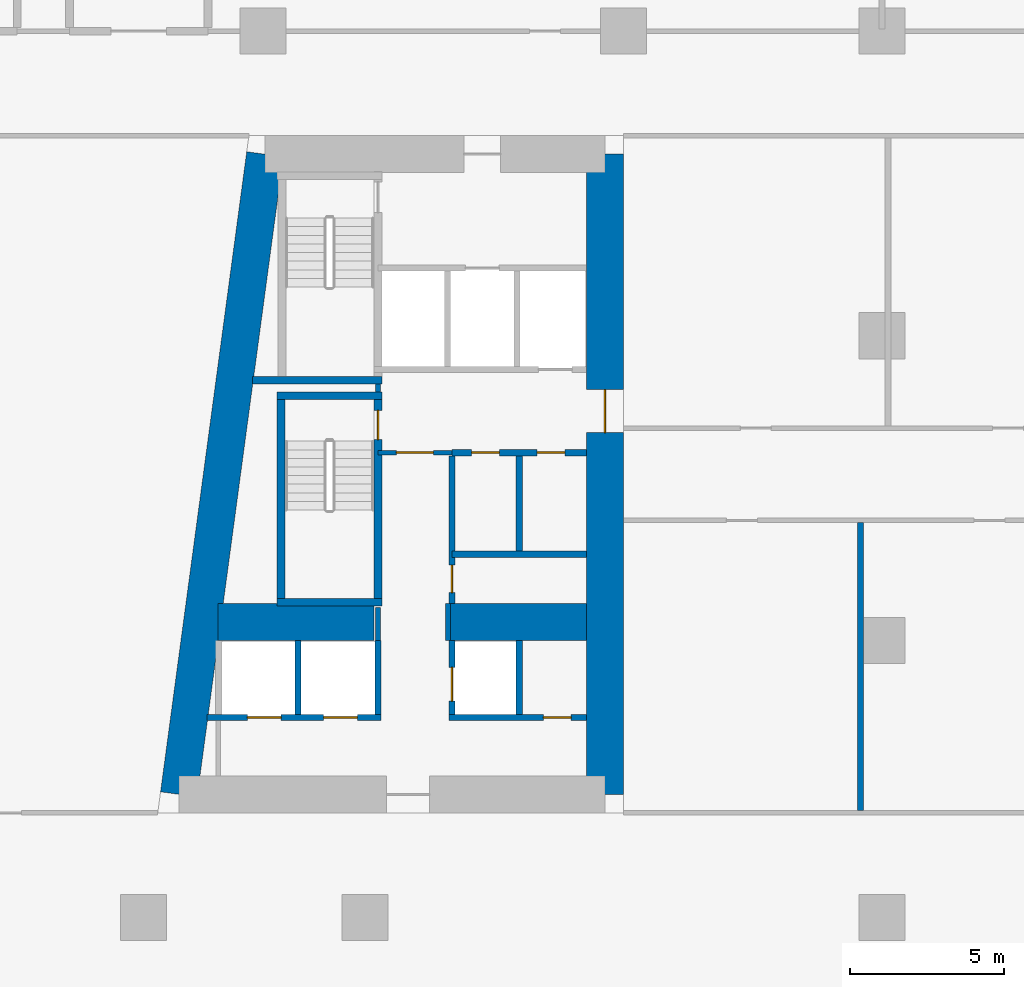
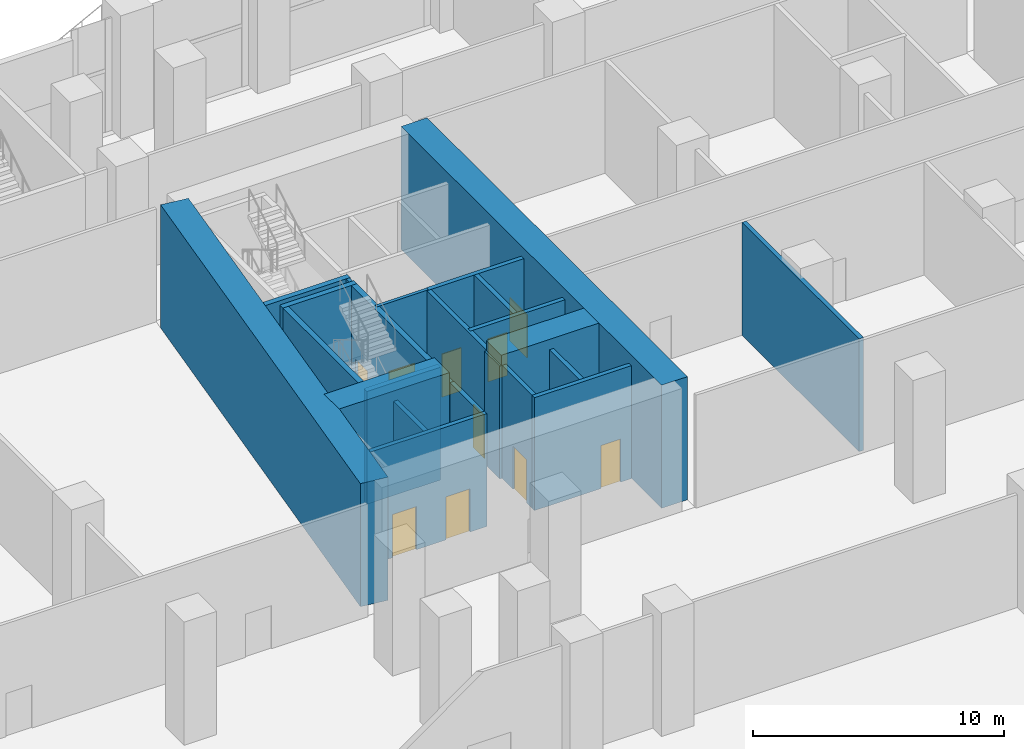
# One storey, part 21 of 47: 24 walls, 10 doors, 10 openings.
"""IFC4 building model written with IfcOpenShell, lengths in metres."""

from ifc_helpers import new_model, si_unit, direction, frame, frame_2d, origin, place, context, subcontext, project, spatial, rectangle, extrude, material, layer, layer_set, type_object, element, fill, save


model = new_model("IFC4")

# Units and contexts
model_context = context("Model", 3, precision=1e-05, world=origin(), true_north=direction((0.0, 1.0)))
body_context = subcontext(model_context, "Body", "Model", "MODEL_VIEW")
ifc_project = project(units=[si_unit("LENGTHUNIT", "METRE"), si_unit("AREAUNIT", "SQUARE_METRE"), si_unit("VOLUMEUNIT", "CUBIC_METRE"), si_unit("PLANEANGLEUNIT", "RADIAN"), si_unit("MASSUNIT", "GRAM", prefix="KILO")], contexts=[model_context])

# Site, building, storey
site_placement = place(None, origin())
site = spatial("IfcSite", under=ifc_project, at=site_placement, CompositionType="ELEMENT")
building_placement = place(site_placement, origin())
building = spatial("IfcBuilding", under=site, at=building_placement, Name="Candeia Pilgrim Tower and Theatre", CompositionType="ELEMENT")
storey_placement = place(building_placement, frame((0.0, 0.0, 23.0)))
storey = spatial("IfcBuildingStorey", under=building, at=storey_placement, Name="L03", CompositionType="ELEMENT", Elevation=23.0)

# Wall, opening, door
ifc_material_1 = material(Name="Concrete C80/95", Category="concrete")
ifc_layer_1 = layer(ifc_material_1, 1.199951171875)
ifc_layer_set_1 = layer_set([ifc_layer_1], Name="Core wall 1200 C80/95")
wall_type_1 = type_object("IfcWallType", Name="Core wall 1200 C80/95", PredefinedType="SHEAR", material=ifc_layer_set_1)
wall_1_placement = place(storey_placement, frame((100.199951171875, 131.800048828125, 0.0), z_axis=(0.0, 0.0, 1.0), x_axis=(0.0, -1.0, 0.0)))
wall_1 = element("IfcWall", 1, at=wall_1_placement, inside=storey, type_object=wall_type_1, Name="Core wall W2", PredefinedType="SHEAR", context=body_context, shape_type="SweptSolid", body=[
    extrude(rectangle(XDim=20.800048828125, YDim=1.199951171875, at=frame_2d((10.39990234375, 0.0))), origin(), (0.0, 0.0, 1.0), 6.0),
])
opening_1_placement = place(wall_1_placement, frame((7.64990234375, 0.0, 0.0)))
opening_1 = element("IfcOpeningElement", 2, at=opening_1_placement, cuts=wall_1, Name="Opening L03-D048", PredefinedType="OPENING", context=body_context, shape_type="SweptSolid", body=[
    extrude(rectangle(XDim=1.39990234375, YDim=2.10009765625, at=frame_2d((0.699951171875, 1.050048828125))), frame((0.0, 0.60986328125, 0.0), z_axis=(0.0, -1.0, 0.0), x_axis=(1.0, 0.0, 0.0)), (0.0, 0.0, 1.0), 1.219970703125),
])
ifc_material_2 = material(Name="Steel fire door set", Category="steel")
door_type_1 = type_object("IfcDoorType", Name="D-1400-FD60", OperationType="NOTDEFINED", PredefinedType="DOOR", material=ifc_material_2)
door_1_placement = place(opening_1_placement, origin())
door_1 = element("IfcDoor", 3, at=door_1_placement, inside=storey, type_object=door_type_1, Name="Door L03-D048", OperationType="SINGLE_SWING_LEFT", OverallHeight=2.10009765625, OverallWidth=1.39990234375, PredefinedType="DOOR", context=body_context, shape_type="SweptSolid", body=[
    extrude(rectangle(XDim=1.39990234375, YDim=2.10009765625, at=frame_2d((0.699951171875, 1.050048828125))), frame((0.0, 0.02490234375, 0.0), z_axis=(0.0, -1.0, 0.0), x_axis=(1.0, 0.0, 0.0)), (0.0, 0.0, 1.0), 0.050048828125),
])
fill(opening_1, door_1)

# Walls
wall_2_placement = place(storey_placement, frame((86.35546875, 111.0, 0.0), z_axis=(0.0, 0.0, 1.0), x_axis=(0.133413989637, 0.99106039542, 0.0)))
element("IfcWall", 4, at=wall_2_placement, inside=storey, type_object=wall_type_1, Name="Core wall W4", PredefinedType="SHEAR", context=body_context, shape_type="SweptSolid", body=[
    extrude(rectangle(XDim=20.987548828125, YDim=1.199951171875, at=frame_2d((10.49365234375, 0.0))), origin(), (0.0, 0.0, 1.0), 6.0),
])
wall_3_placement = place(storey_placement, frame((87.623046875, 116.60009765625, 0.0), z_axis=(0.0, 0.0, 1.0), x_axis=(1.0, 0.0, 0.0)))
element("IfcWall", 5, at=wall_3_placement, inside=storey, type_object=wall_type_1, Name="Core wall W5", PredefinedType="SHEAR", context=body_context, shape_type="SweptSolid", body=[
    extrude(rectangle(XDim=5.076904296875, YDim=1.199951171875, at=frame_2d((2.53857421875, 0.0))), origin(), (0.0, 0.0, 1.0), 6.0),
])
wall_4_placement = place(storey_placement, frame((95.10009765625, 116.60009765625, 0.0), z_axis=(0.0, 0.0, 1.0), x_axis=(1.0, 0.0, 0.0)))
element("IfcWall", 6, at=wall_4_placement, inside=storey, type_object=wall_type_1, Name="Core wall W6", PredefinedType="SHEAR", context=body_context, shape_type="SweptSolid", body=[
    extrude(rectangle(XDim=4.5, YDim=1.199951171875, at=frame_2d((2.25, 0.0))), origin(), (0.0, 0.0, 1.0), 6.0),
])

# Wall, opening, door
ifc_material_3 = material(Name="Gypsum board partition on steel studs", Category="steel")
ifc_layer_2 = layer(ifc_material_3, 0.14990234375)
ifc_layer_set_2 = layer_set([ifc_layer_2], Name="PW-150 lobby wall")
wall_type_2 = type_object("IfcWallType", Name="PW-150 lobby wall", PredefinedType="PARTITIONING", material=ifc_layer_set_2)
wall_5_placement = place(storey_placement, frame((92.826904296875, 122.10009765625, 0.0), z_axis=(0.0, 0.0, 1.0), x_axis=(1.0, 0.0, 0.0)))
wall_5 = element("IfcWall", 7, at=wall_5_placement, inside=storey, type_object=wall_type_2, Name="Lobby wall L03-016", PredefinedType="PARTITIONING", context=body_context, shape_type="SweptSolid", body=[
    extrude(rectangle(XDim=2.400146484375, YDim=0.14990234375, at=frame_2d((1.2001953125, 0.0))), origin(), (0.0, 0.0, 1.0), 5.5),
])
opening_2_placement = place(wall_5_placement, frame((0.60009765625, 0.0, 0.0)))
opening_2 = element("IfcOpeningElement", 8, at=opening_2_placement, cuts=wall_5, Name="Opening L03-D030", PredefinedType="OPENING", context=body_context, shape_type="SweptSolid", body=[
    extrude(rectangle(XDim=1.199951171875, YDim=2.10009765625, at=frame_2d((0.60009765625, 1.050048828125))), frame((0.0, 0.0849609375, 0.0), z_axis=(0.0, -1.0, 0.0), x_axis=(1.0, 0.0, 0.0)), (0.0, 0.0, 1.0), 0.169921875),
])
door_type_2 = type_object("IfcDoorType", Name="D-1200-FD60", OperationType="NOTDEFINED", PredefinedType="DOOR", material=ifc_material_2)
door_2_placement = place(opening_2_placement, origin())
door_2 = element("IfcDoor", 9, at=door_2_placement, inside=storey, type_object=door_type_2, Name="Door L03-D030", OperationType="SINGLE_SWING_LEFT", OverallHeight=2.10009765625, OverallWidth=1.199951171875, PredefinedType="DOOR", context=body_context, shape_type="SweptSolid", body=[
    extrude(rectangle(XDim=1.199951171875, YDim=2.10009765625, at=frame_2d((0.60009765625, 1.050048828125))), frame((0.0, 0.02490234375, 0.0), z_axis=(0.0, -1.0, 0.0), x_axis=(1.0, 0.0, 0.0)), (0.0, 0.0, 1.0), 0.050048828125),
])
fill(opening_2, door_2)

# Walls
wall_6_placement = place(storey_placement, frame((92.826904296875, 116.0, 0.0), z_axis=(0.0, 0.0, 1.0), x_axis=(0.0, 1.0, 0.0)))
element("IfcWall", 10, at=wall_6_placement, inside=storey, type_object=wall_type_2, Name="Lobby wall L03-057", PredefinedType="PARTITIONING", context=body_context, shape_type="SweptSolid", body=[
    extrude(rectangle(XDim=1.074951171875, YDim=0.14990234375, at=frame_2d((0.53759765625, 0.0))), origin(), (0.0, 0.0, 1.0), 5.5),
])
wall_7_placement = place(storey_placement, frame((92.826904296875, 124.074951171875, 0.0), z_axis=(0.0, 0.0, 1.0), x_axis=(0.0, 1.0, 0.0)))
element("IfcWall", 11, at=wall_7_placement, inside=storey, type_object=wall_type_2, Name="Lobby wall L03-058", PredefinedType="PARTITIONING", context=body_context, shape_type="SweptSolid", body=[
    extrude(rectangle(XDim=0.25, YDim=0.14990234375, at=frame_2d((0.125, 0.0))), origin(), (0.0, 0.0, 1.0), 5.5),
])
wall_8_placement = place(storey_placement, frame((95.10009765625, 116.0, 0.0), z_axis=(0.0, 0.0, 1.0), x_axis=(0.0, 1.0, 0.0)))
element("IfcWall", 12, at=wall_8_placement, inside=storey, type_object=wall_type_2, Name="Lobby wall L03-062", PredefinedType="PARTITIONING", context=body_context, shape_type="SweptSolid", body=[
    extrude(rectangle(XDim=1.199951171875, YDim=0.14990234375, at=frame_2d((0.60009765625, 0.0))), origin(), (0.0, 0.0, 1.0), 5.5),
])
ifc_layer_3 = layer(ifc_material_3, 0.199951171875)
ifc_layer_set_3 = layer_set([ifc_layer_3], Name="PW-200 party wall")
wall_type_3 = type_object("IfcWallType", Name="PW-200 party wall", PredefinedType="PARTITIONING", material=ifc_layer_set_3)
wall_9_placement = place(storey_placement, frame((108.5, 110.47509765625, 0.0), z_axis=(0.0, 0.0, 1.0), x_axis=(0.0, 1.0, 0.0)))
element("IfcWall", 13, at=wall_9_placement, inside=storey, type_object=wall_type_3, Name="Party wall L03-068", PredefinedType="PARTITIONING", context=body_context, shape_type="SweptSolid", body=[
    extrude(rectangle(XDim=9.349853515625, YDim=0.199951171875, at=frame_2d((4.6748046875, 0.0))), origin(), (0.0, 0.0, 1.0), 5.5),
])

# Wall, openings, doors
ifc_material_4 = material(Name="Concrete C40/50", Category="concrete")
ifc_layer_4 = layer(ifc_material_4, 0.199951171875)
ifc_layer_set_4 = layer_set([ifc_layer_4], Name="SW-200 shaft wall")
wall_type_4 = type_object("IfcWallType", Name="SW-200 shaft wall", PredefinedType="PARTITIONING", material=ifc_layer_set_4)
wall_10_placement = place(storey_placement, frame((87.267333984375, 113.5, 0.0), z_axis=(0.0, 0.0, 1.0), x_axis=(1.0, 0.0, 0.0)))
wall_10 = element("IfcWall", 14, at=wall_10_placement, inside=storey, type_object=wall_type_4, Name="Shaft wall L03-005", PredefinedType="PARTITIONING", context=body_context, shape_type="SweptSolid", body=[
    extrude(rectangle(XDim=5.65966796875, YDim=0.199951171875, at=frame_2d((2.829833984375, 0.0))), origin(), (0.0, 0.0, 1.0), 5.5),
])
opening_3_placement = place(wall_10_placement, frame((1.3125, 0.0, 0.0)))
opening_3 = element("IfcOpeningElement", 15, at=opening_3_placement, cuts=wall_10, Name="Opening L03-LD03", PredefinedType="OPENING", context=body_context, shape_type="SweptSolid", body=[
    extrude(rectangle(XDim=1.10009765625, YDim=2.10009765625, at=frame_2d((0.550048828125, 1.050048828125))), frame((0.0, 0.10986328125, 0.0), z_axis=(0.0, -1.0, 0.0), x_axis=(1.0, 0.0, 0.0)), (0.0, 0.0, 1.0), 0.219970703125),
])
opening_4_placement = place(wall_10_placement, frame((3.79052734375, 0.0, 0.0)))
opening_4 = element("IfcOpeningElement", 16, at=opening_4_placement, cuts=wall_10, Name="Opening L03-LD04", PredefinedType="OPENING", context=body_context, shape_type="SweptSolid", body=[
    extrude(rectangle(XDim=1.10009765625, YDim=2.10009765625, at=frame_2d((0.550048828125, 1.050048828125))), frame((0.0, 0.10986328125, 0.0), z_axis=(0.0, -1.0, 0.0), x_axis=(1.0, 0.0, 0.0)), (0.0, 0.0, 1.0), 0.219970703125),
])
ifc_material_5 = material(Name="Glazed aluminium landing door", Category="aluminium")
door_type_3 = type_object("IfcDoorType", Name="LD-1100-EI120", OperationType="SLIDING_TO_LEFT", PredefinedType="DOOR", material=ifc_material_5)
door_3_placement = place(opening_3_placement, origin())
door_3 = element("IfcDoor", 17, at=door_3_placement, inside=storey, type_object=door_type_3, Name="Landing door 03 L03", OperationType="SLIDING_TO_LEFT", OverallHeight=2.10009765625, OverallWidth=1.10009765625, PredefinedType="DOOR", context=body_context, shape_type="SweptSolid", body=[
    extrude(rectangle(XDim=1.10009765625, YDim=2.10009765625, at=frame_2d((0.550048828125, 1.050048828125))), frame((0.0, 0.02490234375, 0.0), z_axis=(0.0, -1.0, 0.0), x_axis=(1.0, 0.0, 0.0)), (0.0, 0.0, 1.0), 0.050048828125),
])
fill(opening_3, door_3)
door_4_placement = place(opening_4_placement, origin())
door_4 = element("IfcDoor", 18, at=door_4_placement, inside=storey, type_object=door_type_3, Name="Landing door 04 L03", OperationType="SLIDING_TO_LEFT", OverallHeight=2.10009765625, OverallWidth=1.10009765625, PredefinedType="DOOR", context=body_context, shape_type="SweptSolid", body=[
    extrude(rectangle(XDim=1.10009765625, YDim=2.10009765625, at=frame_2d((0.550048828125, 1.050048828125))), frame((0.0, 0.02490234375, 0.0), z_axis=(0.0, -1.0, 0.0), x_axis=(1.0, 0.0, 0.0)), (0.0, 0.0, 1.0), 0.050048828125),
])
fill(opening_4, door_4)

# Wall, opening, door
wall_11_placement = place(storey_placement, frame((95.126953125, 113.5, 0.0), z_axis=(0.0, 0.0, 1.0), x_axis=(1.0, 0.0, 0.0)))
wall_11 = element("IfcWall", 19, at=wall_11_placement, inside=storey, type_object=wall_type_4, Name="Shaft wall L03-006", PredefinedType="PARTITIONING", context=body_context, shape_type="SweptSolid", body=[
    extrude(rectangle(XDim=4.47314453125, YDim=0.199951171875, at=frame_2d((2.236572265625, 0.0))), origin(), (0.0, 0.0, 1.0), 5.5),
])
opening_5_placement = place(wall_11_placement, frame((3.075927734375, 0.0, 0.0)))
opening_5 = element("IfcOpeningElement", 20, at=opening_5_placement, cuts=wall_11, Name="Opening L03-D036", PredefinedType="OPENING", context=body_context, shape_type="SweptSolid", body=[
    extrude(rectangle(XDim=0.89990234375, YDim=2.10009765625, at=frame_2d((0.449951171875, 1.050048828125))), frame((0.0, 0.10986328125, 0.0), z_axis=(0.0, -1.0, 0.0), x_axis=(1.0, 0.0, 0.0)), (0.0, 0.0, 1.0), 0.219970703125),
])
door_type_4 = type_object("IfcDoorType", Name="D-900-FD60", OperationType="NOTDEFINED", PredefinedType="DOOR", material=ifc_material_2)
door_5_placement = place(opening_5_placement, origin())
door_5 = element("IfcDoor", 21, at=door_5_placement, inside=storey, type_object=door_type_4, Name="Door L03-D036", OperationType="SINGLE_SWING_RIGHT", OverallHeight=2.10009765625, OverallWidth=0.89990234375, PredefinedType="DOOR", context=body_context, shape_type="SweptSolid", body=[
    extrude(rectangle(XDim=0.89990234375, YDim=2.10009765625, at=frame_2d((0.449951171875, 1.050048828125))), frame((0.0, 0.02490234375, 0.0), z_axis=(0.0, -1.0, 0.0), x_axis=(1.0, 0.0, 0.0)), (0.0, 0.0, 1.0), 0.050048828125),
])
fill(opening_5, door_5)

# Wall
wall_12_placement = place(storey_placement, frame((95.22705078125, 118.800048828125, 0.0), z_axis=(0.0, 0.0, 1.0), x_axis=(1.0, 0.0, 0.0)))
element("IfcWall", 22, at=wall_12_placement, inside=storey, type_object=wall_type_4, Name="Shaft wall L03-011", PredefinedType="PARTITIONING", context=body_context, shape_type="SweptSolid", body=[
    extrude(rectangle(XDim=4.373046875, YDim=0.199951171875, at=frame_2d((2.1865234375, 0.0))), origin(), (0.0, 0.0, 1.0), 5.5),
])

# Wall, openings, doors
wall_13_placement = place(storey_placement, frame((95.22705078125, 122.10009765625, 0.0), z_axis=(0.0, 0.0, 1.0), x_axis=(1.0, 0.0, 0.0)))
wall_13 = element("IfcWall", 23, at=wall_13_placement, inside=storey, type_object=wall_type_4, Name="Shaft wall L03-014", PredefinedType="PARTITIONING", context=body_context, shape_type="SweptSolid", body=[
    extrude(rectangle(XDim=4.373046875, YDim=0.199951171875, at=frame_2d((2.1865234375, 0.0))), origin(), (0.0, 0.0, 1.0), 5.5),
])
opening_6_placement = place(wall_13_placement, frame((0.64306640625, 0.0, 0.0)))
opening_6 = element("IfcOpeningElement", 24, at=opening_6_placement, cuts=wall_13, Name="Opening L03-D031", PredefinedType="OPENING", context=body_context, shape_type="SweptSolid", body=[
    extrude(rectangle(XDim=0.89990234375, YDim=2.10009765625, at=frame_2d((0.449951171875, 1.050048828125))), frame((0.0, 0.10986328125, 0.0), z_axis=(0.0, -1.0, 0.0), x_axis=(1.0, 0.0, 0.0)), (0.0, 0.0, 1.0), 0.219970703125),
])
opening_7_placement = place(wall_13_placement, frame((2.77099609375, 0.0, 0.0)))
opening_7 = element("IfcOpeningElement", 25, at=opening_7_placement, cuts=wall_13, Name="Opening L03-D032", PredefinedType="OPENING", context=body_context, shape_type="SweptSolid", body=[
    extrude(rectangle(XDim=0.89990234375, YDim=2.10009765625, at=frame_2d((0.449951171875, 1.050048828125))), frame((0.0, 0.10986328125, 0.0), z_axis=(0.0, -1.0, 0.0), x_axis=(1.0, 0.0, 0.0)), (0.0, 0.0, 1.0), 0.219970703125),
])
door_6_placement = place(opening_6_placement, origin())
door_6 = element("IfcDoor", 26, at=door_6_placement, inside=storey, type_object=door_type_4, Name="Door L03-D031", OperationType="SINGLE_SWING_RIGHT", OverallHeight=2.10009765625, OverallWidth=0.89990234375, PredefinedType="DOOR", context=body_context, shape_type="SweptSolid", body=[
    extrude(rectangle(XDim=0.89990234375, YDim=2.10009765625, at=frame_2d((0.449951171875, 1.050048828125))), frame((0.0, 0.02490234375, 0.0), z_axis=(0.0, -1.0, 0.0), x_axis=(1.0, 0.0, 0.0)), (0.0, 0.0, 1.0), 0.050048828125),
])
fill(opening_6, door_6)
door_7_placement = place(opening_7_placement, origin())
door_7 = element("IfcDoor", 27, at=door_7_placement, inside=storey, type_object=door_type_4, Name="Door L03-D032", OperationType="SINGLE_SWING_LEFT", OverallHeight=2.10009765625, OverallWidth=0.89990234375, PredefinedType="DOOR", context=body_context, shape_type="SweptSolid", body=[
    extrude(rectangle(XDim=0.89990234375, YDim=2.10009765625, at=frame_2d((0.449951171875, 1.050048828125))), frame((0.0, 0.02490234375, 0.0), z_axis=(0.0, -1.0, 0.0), x_axis=(1.0, 0.0, 0.0)), (0.0, 0.0, 1.0), 0.050048828125),
])
fill(opening_7, door_7)

# Walls
for number, where, z_axis, x_axis, name in (
    (28, (90.22900390625, 113.60009765625, 0.0), (0.0, 0.0, 1.0), (0.0, 1.0, 0.0), "Shaft wall L03-055"),
    (29, (92.826904296875, 113.60009765625, 0.0), (0.0, 0.0, 1.0), (0.0, 1.0, 0.0), "Shaft wall L03-056"),
):
    element("IfcWall", number, at=place(storey_placement, frame(where, z_axis=z_axis, x_axis=x_axis)), inside=storey, type_object=wall_type_4, Name=name, PredefinedType="PARTITIONING", context=body_context, shape_type="SweptSolid", body=[
        extrude(rectangle(XDim=2.39990234375, YDim=0.199951171875, at=frame_2d((1.199951171875, 0.0))), origin(), (0.0, 0.0, 1.0), 5.5),
    ])

# Wall, opening, door
wall_14_placement = place(storey_placement, frame((95.22705078125, 113.60009765625, 0.0), z_axis=(0.0, 0.0, 1.0), x_axis=(0.0, 1.0, 0.0)))
wall_14 = element("IfcWall", 30, at=wall_14_placement, inside=storey, type_object=wall_type_4, Name="Shaft wall L03-063", PredefinedType="PARTITIONING", context=body_context, shape_type="SweptSolid", body=[
    extrude(rectangle(XDim=2.39990234375, YDim=0.199951171875, at=frame_2d((1.199951171875, 0.0))), origin(), (0.0, 0.0, 1.0), 5.5),
])
opening_8_placement = place(wall_14_placement, frame((0.425048828125, 0.0, 0.0)))
opening_8 = element("IfcOpeningElement", 31, at=opening_8_placement, cuts=wall_14, Name="Opening L03-LD05", PredefinedType="OPENING", context=body_context, shape_type="SweptSolid", body=[
    extrude(rectangle(XDim=1.10009765625, YDim=2.10009765625, at=frame_2d((0.550048828125, 1.050048828125))), frame((0.0, 0.10986328125, 0.0), z_axis=(0.0, -1.0, 0.0), x_axis=(1.0, 0.0, 0.0)), (0.0, 0.0, 1.0), 0.219970703125),
])
door_8_placement = place(opening_8_placement, origin())
door_8 = element("IfcDoor", 32, at=door_8_placement, inside=storey, type_object=door_type_3, Name="Landing door 05 L03", OperationType="SLIDING_TO_LEFT", OverallHeight=2.10009765625, OverallWidth=1.10009765625, PredefinedType="DOOR", context=body_context, shape_type="SweptSolid", body=[
    extrude(rectangle(XDim=1.10009765625, YDim=2.10009765625, at=frame_2d((0.550048828125, 1.050048828125))), frame((0.0, 0.02490234375, 0.0), z_axis=(0.0, -1.0, 0.0), x_axis=(1.0, 0.0, 0.0)), (0.0, 0.0, 1.0), 0.050048828125),
])
fill(opening_8, door_8)

wall_15_placement = place(storey_placement, frame((95.22705078125, 117.199951171875, 0.0), z_axis=(0.0, 0.0, 1.0), x_axis=(0.0, 1.0, 0.0)))
wall_15 = element("IfcWall", 33, at=wall_15_placement, inside=storey, type_object=wall_type_4, Name="Shaft wall L03-064", PredefinedType="PARTITIONING", context=body_context, shape_type="SweptSolid", body=[
    extrude(rectangle(XDim=4.800048828125, YDim=0.199951171875, at=frame_2d((2.39990234375, 0.0))), origin(), (0.0, 0.0, 1.0), 5.5),
])
opening_9_placement = place(wall_15_placement, frame((0.35009765625, 0.0, 0.0)))
opening_9 = element("IfcOpeningElement", 34, at=opening_9_placement, cuts=wall_15, Name="Opening L03-D035", PredefinedType="OPENING", context=body_context, shape_type="SweptSolid", body=[
    extrude(rectangle(XDim=0.89990234375, YDim=2.10009765625, at=frame_2d((0.449951171875, 1.050048828125))), frame((0.0, 0.10986328125, 0.0), z_axis=(0.0, -1.0, 0.0), x_axis=(1.0, 0.0, 0.0)), (0.0, 0.0, 1.0), 0.219970703125),
])
door_9_placement = place(opening_9_placement, origin())
door_9 = element("IfcDoor", 35, at=door_9_placement, inside=storey, type_object=door_type_4, Name="Door L03-D035", OperationType="SINGLE_SWING_RIGHT", OverallHeight=2.10009765625, OverallWidth=0.89990234375, PredefinedType="DOOR", context=body_context, shape_type="SweptSolid", body=[
    extrude(rectangle(XDim=0.89990234375, YDim=2.10009765625, at=frame_2d((0.449951171875, 1.050048828125))), frame((0.0, 0.02490234375, 0.0), z_axis=(0.0, -1.0, 0.0), x_axis=(1.0, 0.0, 0.0)), (0.0, 0.0, 1.0), 0.050048828125),
])
fill(opening_9, door_9)

# Walls
wall_16_placement = place(storey_placement, frame((97.41357421875, 113.60009765625, 0.0), z_axis=(0.0, 0.0, 1.0), x_axis=(0.0, 1.0, 0.0)))
element("IfcWall", 36, at=wall_16_placement, inside=storey, type_object=wall_type_4, Name="Shaft wall L03-066", PredefinedType="PARTITIONING", context=body_context, shape_type="SweptSolid", body=[
    extrude(rectangle(XDim=2.39990234375, YDim=0.199951171875, at=frame_2d((1.199951171875, 0.0))), origin(), (0.0, 0.0, 1.0), 5.5),
])
wall_17_placement = place(storey_placement, frame((97.41357421875, 118.89990234375, 0.0), z_axis=(0.0, 0.0, 1.0), x_axis=(0.0, 1.0, 0.0)))
element("IfcWall", 37, at=wall_17_placement, inside=storey, type_object=wall_type_4, Name="Shaft wall L03-067", PredefinedType="PARTITIONING", context=body_context, shape_type="SweptSolid", body=[
    extrude(rectangle(XDim=3.10009765625, YDim=0.199951171875, at=frame_2d((1.550048828125, 0.0))), origin(), (0.0, 0.0, 1.0), 5.5),
])
ifc_layer_5 = layer(ifc_material_4, 0.25)
ifc_layer_set_5 = layer_set([ifc_layer_5], Name="SW-250 stair wall")
wall_type_5 = type_object("IfcWallType", Name="SW-250 stair wall", PredefinedType="PARTITIONING", material=ifc_layer_set_5)
for number, where, z_axis, x_axis, name in (
    (38, (89.552001953125, 117.2451171875, 0.0), (0.0, 0.0, 1.0), (1.0, 0.0, 0.0), "Stair wall L03-009"),
    (39, (89.552001953125, 123.949951171875, 0.0), (0.0, 0.0, 1.0), (1.0, 0.0, 0.0), "Stair wall L03-019"),
):
    element("IfcWall", number, at=place(storey_placement, frame(where, z_axis=z_axis, x_axis=x_axis)), inside=storey, type_object=wall_type_5, Name=name, PredefinedType="PARTITIONING", context=body_context, shape_type="SweptSolid", body=[
        extrude(rectangle(XDim=3.39990234375, YDim=0.25, at=frame_2d((1.699951171875, 0.0))), origin(), (0.0, 0.0, 1.0), 5.5),
    ])
wall_18_placement = place(storey_placement, frame((88.741455078125, 124.449951171875, 0.0), z_axis=(0.0, 0.0, 1.0), x_axis=(1.0, 0.0, 0.0)))
element("IfcWall", 40, at=wall_18_placement, inside=storey, type_object=wall_type_5, Name="Stair wall L03-021", PredefinedType="PARTITIONING", context=body_context, shape_type="SweptSolid", body=[
    extrude(rectangle(XDim=4.21044921875, YDim=0.25, at=frame_2d((2.105224609375, 0.0))), origin(), (0.0, 0.0, 1.0), 5.5),
])
wall_19_placement = place(storey_placement, frame((89.677001953125, 117.169921875, 0.0), z_axis=(0.0, 0.0, 1.0), x_axis=(0.0, 1.0, 0.0)))
element("IfcWall", 41, at=wall_19_placement, inside=storey, type_object=wall_type_5, Name="Stair wall L03-053", PredefinedType="PARTITIONING", context=body_context, shape_type="SweptSolid", body=[
    extrude(rectangle(XDim=6.655029296875, YDim=0.25, at=frame_2d((3.32763671875, 0.0))), origin(), (0.0, 0.0, 1.0), 5.5),
])

# Wall, opening, door
wall_20_placement = place(storey_placement, frame((92.826904296875, 117.169921875, 0.0), z_axis=(0.0, 0.0, 1.0), x_axis=(0.0, 1.0, 0.0)))
wall_20 = element("IfcWall", 42, at=wall_20_placement, inside=storey, type_object=wall_type_5, Name="Stair wall L03-059", PredefinedType="PARTITIONING", context=body_context, shape_type="SweptSolid", body=[
    extrude(rectangle(XDim=6.655029296875, YDim=0.25, at=frame_2d((3.32763671875, 0.0))), origin(), (0.0, 0.0, 1.0), 5.5),
])
opening_10_placement = place(wall_20_placement, frame((5.35498046875, 0.0, 0.0)))
opening_10 = element("IfcOpeningElement", 43, at=opening_10_placement, cuts=wall_20, Name="Opening L03-D033", PredefinedType="OPENING", context=body_context, shape_type="SweptSolid", body=[
    extrude(rectangle(XDim=0.949951171875, YDim=2.10009765625, at=frame_2d((0.47509765625, 1.050048828125))), frame((0.0, 0.135009765625, 0.0), z_axis=(0.0, -1.0, 0.0), x_axis=(1.0, 0.0, 0.0)), (0.0, 0.0, 1.0), 0.27001953125),
])
door_type_5 = type_object("IfcDoorType", Name="D-950-FD60", OperationType="NOTDEFINED", PredefinedType="DOOR", material=ifc_material_2)
door_10_placement = place(opening_10_placement, origin())
door_10 = element("IfcDoor", 44, at=door_10_placement, inside=storey, type_object=door_type_5, Name="Door L03-D033", OperationType="SINGLE_SWING_RIGHT", OverallHeight=2.10009765625, OverallWidth=0.949951171875, PredefinedType="DOOR", context=body_context, shape_type="SweptSolid", body=[
    extrude(rectangle(XDim=0.949951171875, YDim=2.10009765625, at=frame_2d((0.47509765625, 1.050048828125))), frame((0.0, 0.02490234375, 0.0), z_axis=(0.0, -1.0, 0.0), x_axis=(1.0, 0.0, 0.0)), (0.0, 0.0, 1.0), 0.050048828125),
])
fill(opening_10, door_10)

save(model, "model.ifc")
